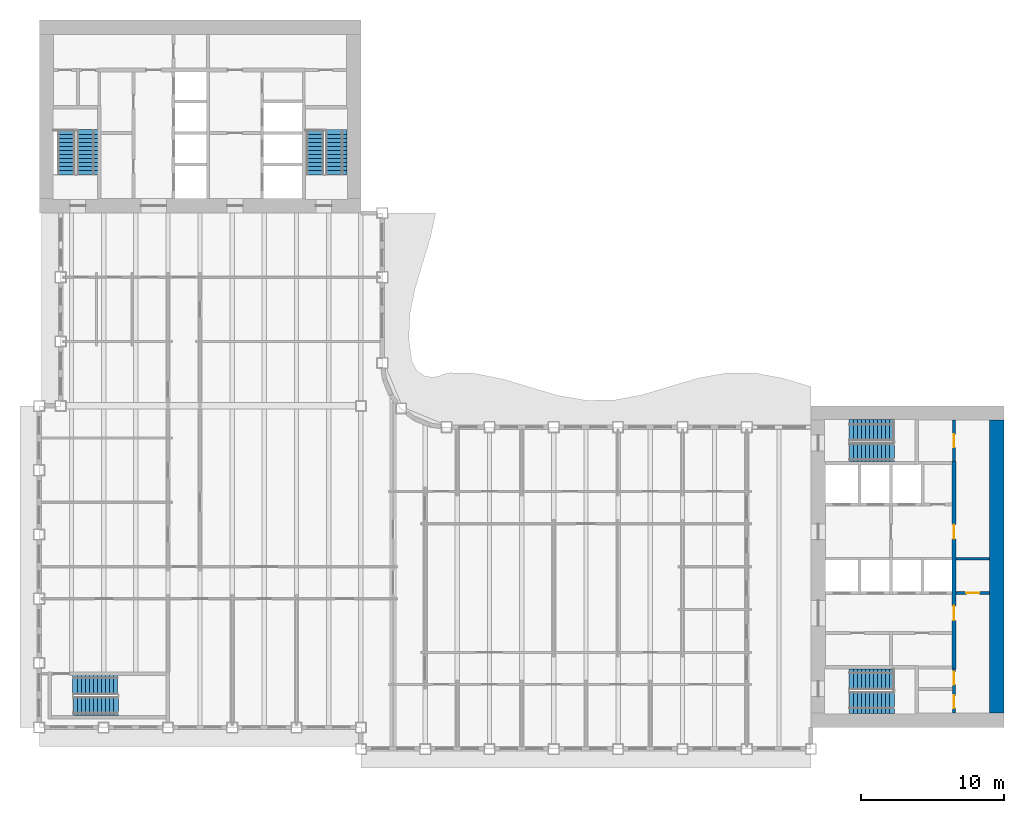
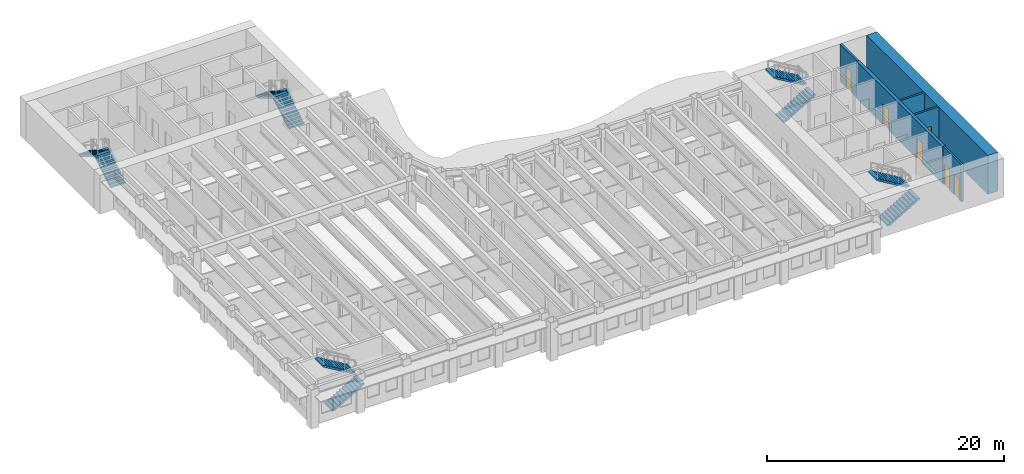
# One storey, part 11 of 17: 10 stair flights, 6 doors, 6 walls, 6 openings, 5 elements without a shape of their own.
"""IFC4 building model written with IfcOpenShell, lengths in metres."""

from ifc_helpers import new_model, si_unit, direction, frame, frame_2d, origin, place, context, subcontext, project, spatial, polyline, rectangle, outline, extrude, material, layer, layer_set, type_object, element, fill, aggregate, save


model = new_model("IFC4")

# Units and contexts
model_context = context("Model", 3, precision=1e-05, world=origin(), true_north=direction((0.0, 1.0)))
body_context = subcontext(model_context, "Body", "Model", "MODEL_VIEW")
ifc_project = project(units=[si_unit("LENGTHUNIT", "METRE"), si_unit("AREAUNIT", "SQUARE_METRE"), si_unit("VOLUMEUNIT", "CUBIC_METRE"), si_unit("PLANEANGLEUNIT", "RADIAN"), si_unit("MASSUNIT", "GRAM", prefix="KILO")], contexts=[model_context])

# Site, building, storey
site_placement = place(None, origin())
site = spatial("IfcSite", under=ifc_project, at=site_placement, CompositionType="ELEMENT")
building_placement = place(site_placement, origin())
building = spatial("IfcBuilding", under=site, at=building_placement, Name="Sennacour Bend Tower", CompositionType="ELEMENT")
storey_placement = place(building_placement, frame((0.0, 0.0, 199.0)))
storey = spatial("IfcBuildingStorey", under=building, at=storey_placement, Name="L45", CompositionType="ELEMENT", Elevation=199.0)

# Wall
ifc_material_1 = material(Name="Concrete C60/75", Category="concrete")
ifc_layer_1 = layer(ifc_material_1, 1.0, Name="Concrete C60/75", Category="concrete")
ifc_layer_set_1 = layer_set([ifc_layer_1], Name="Concrete C60/75")
wall_type_1 = type_object("IfcWallType", Name="Core wall 1000 C60/75", PredefinedType="SHEAR", material=ifc_layer_set_1)
wall_1_placement = place(storey_placement, frame((67.0, 1.0, -0.14990234375), z_axis=(0.0, 0.0, 1.0), x_axis=(0.0, 1.0, 0.0)))
element("IfcWall", 1, at=wall_1_placement, inside=storey, type_object=wall_type_1, Name="Core A wall L45 E", PredefinedType="SHEAR", context=body_context, shape_type="SweptSolid", body=[
    extrude(rectangle(XDim=20.5, YDim=1.0, at=frame_2d((10.25, 0.0))), origin(), (0.0, 0.0, 1.0), 4.0),
])

# Wall, openings, doors
ifc_material_2 = material(Name="Fire-rated plasterboard partition on steel studs", Category="steel")
ifc_layer_2 = layer(ifc_material_2, 0.199951171875, Name="Fire-rated plasterboard partition on steel studs", Category="steel")
ifc_layer_set_2 = layer_set([ifc_layer_2], Name="Fire-rated plasterboard partition on steel studs")
wall_type_2 = type_object("IfcWallType", Name="Rated partition 200", PredefinedType="PARTITIONING", material=ifc_layer_set_2)
wall_2_placement = place(storey_placement, frame((64.0, 1.0, 0.0), z_axis=(0.0, 0.0, 1.0), x_axis=(0.0, 1.0, 0.0)))
wall_2 = element("IfcWall", 2, at=wall_2_placement, inside=storey, type_object=wall_type_2, Name="P-L45-W052", PredefinedType="PARTITIONING", context=body_context, shape_type="SweptSolid", body=[
    extrude(rectangle(XDim=3.10009765625, YDim=0.199951171875, at=frame_2d((1.550048828125, 0.0))), origin(), (0.0, 0.0, 1.0), 3.85009765625),
])
opening_1_placement = place(wall_2_placement, frame((0.35009765625, 0.0, 0.0)))
opening_1 = element("IfcOpeningElement", 3, at=opening_1_placement, cuts=wall_2, Name="Opening SV", PredefinedType="OPENING", context=body_context, shape_type="SweptSolid", body=[
    extrude(rectangle(XDim=0.89990234375, YDim=2.10009765625, at=frame_2d((0.449951171875, 1.050048828125))), frame((0.0, 0.10986328125, 0.0), z_axis=(0.0, -1.0, 0.0), x_axis=(1.0, 0.0, 0.0)), (0.0, 0.0, 1.0), 0.219970703125),
])
opening_2_placement = place(wall_2_placement, frame((2.0, 0.0, 0.0)))
opening_2 = element("IfcOpeningElement", 4, at=opening_2_placement, cuts=wall_2, Name="Opening SV", PredefinedType="OPENING", context=body_context, shape_type="SweptSolid", body=[
    extrude(rectangle(XDim=0.89990234375, YDim=2.10009765625, at=frame_2d((0.449951171875, 1.050048828125))), frame((0.0, 0.10986328125, 0.0), z_axis=(0.0, -1.0, 0.0), x_axis=(1.0, 0.0, 0.0)), (0.0, 0.0, 1.0), 0.219970703125),
])
ifc_material_3 = material(Name="Painted steel", Category="steel")
door_type_1 = type_object("IfcDoorType", Name="DR-SERVICE-900", OperationType="NOTDEFINED", PredefinedType="DOOR", material=ifc_material_3)
door_1_placement = place(opening_1_placement, origin())
door_1 = element("IfcDoor", 5, at=door_1_placement, inside=storey, type_object=door_type_1, Name="Door", OperationType="SINGLE_SWING_LEFT", OverallHeight=2.10009765625, OverallWidth=0.89990234375, PredefinedType="DOOR", context=body_context, shape_type="SweptSolid", body=[
    extrude(rectangle(XDim=0.89990234375, YDim=2.10009765625, at=frame_2d((0.449951171875, 1.050048828125))), frame((0.0, 0.02490234375, 0.0), z_axis=(0.0, -1.0, 0.0), x_axis=(1.0, 0.0, 0.0)), (0.0, 0.0, 1.0), 0.050048828125),
])
fill(opening_1, door_1)
door_2_placement = place(opening_2_placement, origin())
door_2 = element("IfcDoor", 6, at=door_2_placement, inside=storey, type_object=door_type_1, Name="Door", OperationType="SINGLE_SWING_RIGHT", OverallHeight=2.10009765625, OverallWidth=0.89990234375, PredefinedType="DOOR", context=body_context, shape_type="SweptSolid", body=[
    extrude(rectangle(XDim=0.89990234375, YDim=2.10009765625, at=frame_2d((0.449951171875, 1.050048828125))), frame((0.0, 0.02490234375, 0.0), z_axis=(0.0, -1.0, 0.0), x_axis=(1.0, 0.0, 0.0)), (0.0, 0.0, 1.0), 0.050048828125),
])
fill(opening_2, door_2)

# Wall, opening, door
wall_3_placement = place(storey_placement, frame((64.0, 18.60009765625, 0.0), z_axis=(0.0, 0.0, 1.0), x_axis=(0.0, 1.0, 0.0)))
wall_3 = element("IfcWall", 7, at=wall_3_placement, inside=storey, type_object=wall_type_2, Name="P-L45-W054", PredefinedType="PARTITIONING", context=body_context, shape_type="SweptSolid", body=[
    extrude(rectangle(XDim=2.89990234375, YDim=0.199951171875, at=frame_2d((1.449951171875, 0.0))), origin(), (0.0, 0.0, 1.0), 3.85009765625),
])
opening_3_placement = place(wall_3_placement, frame((1.0, 0.0, 0.0)))
opening_3 = element("IfcOpeningElement", 8, at=opening_3_placement, cuts=wall_3, Name="Opening WD", PredefinedType="OPENING", context=body_context, shape_type="SweptSolid", body=[
    extrude(rectangle(XDim=0.89990234375, YDim=2.10009765625, at=frame_2d((0.449951171875, 1.050048828125))), frame((0.0, 0.10986328125, 0.0), z_axis=(0.0, -1.0, 0.0), x_axis=(1.0, 0.0, 0.0)), (0.0, 0.0, 1.0), 0.219970703125),
])
ifc_material_4 = material(Name="Timber", Category="wood")
door_type_2 = type_object("IfcDoorType", Name="DR-WC-900", OperationType="NOTDEFINED", PredefinedType="DOOR", material=ifc_material_4)
door_3_placement = place(opening_3_placement, origin())
door_3 = element("IfcDoor", 9, at=door_3_placement, inside=storey, type_object=door_type_2, Name="Door", OperationType="SINGLE_SWING_LEFT", OverallHeight=2.10009765625, OverallWidth=0.89990234375, PredefinedType="DOOR", context=body_context, shape_type="SweptSolid", body=[
    extrude(rectangle(XDim=0.89990234375, YDim=2.10009765625, at=frame_2d((0.449951171875, 1.050048828125))), frame((0.0, 0.02490234375, 0.0), z_axis=(0.0, -1.0, 0.0), x_axis=(1.0, 0.0, 0.0)), (0.0, 0.0, 1.0), 0.050048828125),
])
fill(opening_3, door_3)

wall_4_placement = place(storey_placement, frame((64.14990234375, 9.39990234375, 0.0), z_axis=(0.0, 0.0, 1.0), x_axis=(1.0, 0.0, 0.0)))
wall_4 = element("IfcWall", 10, at=wall_4_placement, inside=storey, type_object=wall_type_2, Name="P-L45-W068", PredefinedType="PARTITIONING", context=body_context, shape_type="SweptSolid", body=[
    extrude(rectangle(XDim=2.35009765625, YDim=0.199951171875, at=frame_2d((1.175048828125, 0.0))), origin(), (0.0, 0.0, 1.0), 3.85009765625),
])
opening_4_placement = place(wall_4_placement, frame((0.72509765625, 0.0, 0.0)))
opening_4 = element("IfcOpeningElement", 11, at=opening_4_placement, cuts=wall_4, Name="Opening SV", PredefinedType="OPENING", context=body_context, shape_type="SweptSolid", body=[
    extrude(rectangle(XDim=0.89990234375, YDim=2.10009765625, at=frame_2d((0.449951171875, 1.050048828125))), frame((0.0, 0.10986328125, 0.0), z_axis=(0.0, -1.0, 0.0), x_axis=(1.0, 0.0, 0.0)), (0.0, 0.0, 1.0), 0.219970703125),
])
door_4_placement = place(opening_4_placement, origin())
door_4 = element("IfcDoor", 12, at=door_4_placement, inside=storey, type_object=door_type_1, Name="Door", OperationType="SINGLE_SWING_LEFT", OverallHeight=2.10009765625, OverallWidth=0.89990234375, PredefinedType="DOOR", context=body_context, shape_type="SweptSolid", body=[
    extrude(rectangle(XDim=0.89990234375, YDim=2.10009765625, at=frame_2d((0.449951171875, 1.050048828125))), frame((0.0, 0.02490234375, 0.0), z_axis=(0.0, -1.0, 0.0), x_axis=(1.0, 0.0, 0.0)), (0.0, 0.0, 1.0), 0.050048828125),
])
fill(opening_4, door_4)

# Wall
wall_5_placement = place(storey_placement, frame((64.14990234375, 11.800048828125, 0.0), z_axis=(0.0, 0.0, 1.0), x_axis=(1.0, 0.0, 0.0)))
element("IfcWall", 13, at=wall_5_placement, inside=storey, type_object=wall_type_2, Name="P-L45-W072", PredefinedType="PARTITIONING", context=body_context, shape_type="SweptSolid", body=[
    extrude(rectangle(XDim=2.35009765625, YDim=0.199951171875, at=frame_2d((1.175048828125, 0.0))), origin(), (0.0, 0.0, 1.0), 3.85009765625),
])

# Wall, openings, doors
ifc_layer_3 = layer(ifc_material_1, 0.300048828125, Name="Concrete C60/75", Category="concrete")
ifc_layer_set_3 = layer_set([ifc_layer_3], Name="Concrete C60/75")
wall_type_3 = type_object("IfcWallType", Name="Spine wall 300", PredefinedType="SHEAR", material=ifc_layer_set_3)
wall_6_placement = place(storey_placement, frame((64.0, 4.10009765625, 0.0), z_axis=(0.0, 0.0, 1.0), x_axis=(0.0, 1.0, 0.0)))
wall_6 = element("IfcWall", 14, at=wall_6_placement, inside=storey, type_object=wall_type_3, Name="P-L45-W053", PredefinedType="SHEAR", context=body_context, shape_type="SweptSolid", body=[
    extrude(rectangle(XDim=14.5, YDim=0.300048828125, at=frame_2d((7.25, 0.0))), origin(), (0.0, 0.0, 1.0), 3.85009765625),
])
opening_5_placement = place(wall_6_placement, frame((3.39990234375, 0.0, 0.0)))
opening_5 = element("IfcOpeningElement", 15, at=opening_5_placement, cuts=wall_6, Name="Opening CD2", PredefinedType="OPENING", context=body_context, shape_type="SweptSolid", body=[
    extrude(rectangle(XDim=1.0, YDim=2.10009765625, at=frame_2d((0.5, 1.050048828125))), frame((0.0, 0.16015625, 0.0), z_axis=(0.0, -1.0, 0.0), x_axis=(1.0, 0.0, 0.0)), (0.0, 0.0, 1.0), 0.320068359375),
])
opening_6_placement = place(wall_6_placement, frame((9.099853515625, 0.0, 0.0)))
opening_6 = element("IfcOpeningElement", 16, at=opening_6_placement, cuts=wall_6, Name="Opening CD2", PredefinedType="OPENING", context=body_context, shape_type="SweptSolid", body=[
    extrude(rectangle(XDim=1.0, YDim=2.10009765625, at=frame_2d((0.5, 1.050048828125))), frame((0.0, 0.16015625, 0.0), z_axis=(0.0, -1.0, 0.0), x_axis=(1.0, 0.0, 0.0)), (0.0, 0.0, 1.0), 0.320068359375),
])
door_type_3 = type_object("IfcDoorType", Name="DR-LOBBY-1000", OperationType="NOTDEFINED", PredefinedType="DOOR", material=ifc_material_3)
door_5_placement = place(opening_5_placement, origin())
door_5 = element("IfcDoor", 17, at=door_5_placement, inside=storey, type_object=door_type_3, Name="Door", OperationType="SINGLE_SWING_LEFT", OverallHeight=2.10009765625, OverallWidth=1.0, PredefinedType="DOOR", context=body_context, shape_type="SweptSolid", body=[
    extrude(rectangle(XDim=1.0, YDim=2.10009765625, at=frame_2d((0.5, 1.050048828125))), frame((0.0, 0.02490234375, 0.0), z_axis=(0.0, -1.0, 0.0), x_axis=(1.0, 0.0, 0.0)), (0.0, 0.0, 1.0), 0.050048828125),
])
fill(opening_5, door_5)
door_6_placement = place(opening_6_placement, origin())
door_6 = element("IfcDoor", 18, at=door_6_placement, inside=storey, type_object=door_type_3, Name="Door", OperationType="SINGLE_SWING_RIGHT", OverallHeight=2.10009765625, OverallWidth=1.0, PredefinedType="DOOR", context=body_context, shape_type="SweptSolid", body=[
    extrude(rectangle(XDim=1.0, YDim=2.10009765625, at=frame_2d((0.5, 1.050048828125))), frame((0.0, 0.02490234375, 0.0), z_axis=(0.0, -1.0, 0.0), x_axis=(1.0, 0.0, 0.0)), (0.0, 0.0, 1.0), 0.050048828125),
])
fill(opening_6, door_6)

# Stair, stair flights
ifc_material_5 = material(Name="Concrete C40/50", Category="concrete")
stair_type = type_object("IfcStairType", Name="ST-DOGLEG", PredefinedType="HALF_TURN_STAIR", material=ifc_material_5)
stair_1_placement = place(storey_placement, origin())
stair_1 = element("IfcStair", 19, at=stair_1_placement, inside=storey, type_object=stair_type, Name="L45 Exit stair A1", PredefinedType="HALF_TURN_STAIR")
stair_flight_type = type_object("IfcStairFlightType", Name="SFL-RC", PredefinedType="STRAIGHT", material=ifc_material_5)
stair_flight_1_placement = place(storey_placement, frame((56.699951171875, 1.735107421875, 0.0), z_axis=(0.0, 0.0, 1.0), x_axis=(1.0, 0.0, 0.0)))
stair_flight_1 = element("IfcStairFlight", 20, at=stair_flight_1_placement, type_object=stair_flight_type, Name="SA1 flight 1", NumberOfRisers=12, NumberOfTreads=11, PredefinedType="STRAIGHT", RiserHeight=0.166666667, TreadLength=0.28, context=body_context, shape_type="SweptSolid", body=[
    extrude(outline(polyline([(0.0, 0.0), (0.0, 0.166748046875), (0.280029296875, 0.166748046875), (0.280029296875, 0.333251953125), (0.56005859375, 0.333251953125), (0.56005859375, 0.5), (0.840087890625, 0.5), (0.840087890625, 0.666748046875), (1.1201171875, 0.666748046875), (1.1201171875, 0.833251953125), (1.39990234375, 0.833251953125), (1.39990234375, 1.0), (1.679931640625, 1.0), (1.679931640625, 1.166748046875), (1.9599609375, 1.166748046875), (1.9599609375, 1.333251953125), (2.239990234375, 1.333251953125), (2.239990234375, 1.5), (2.52001953125, 1.5), (2.52001953125, 1.666748046875), (2.800048828125, 1.666748046875), (2.800048828125, 1.833251953125), (3.080078125, 1.833251953125), (3.139892578125, 1.833251953125), (3.139892578125, 1.658935546875), (3.080078125, 1.658935546875), (0.29296875, 0.0), (0.0, 0.0)])), frame((0.0, 0.76513671875, 0.0), z_axis=(0.0, -1.0, 0.0), x_axis=(1.0, 0.0, 0.0)), (0.0, 0.0, 1.0), 1.530029296875),
])
stair_flight_2_placement = place(storey_placement, frame((59.780029296875, 3.37744140625, 2.0), z_axis=(0.0, 0.0, 1.0), x_axis=(-1.0, 0.0, 0.0)))
stair_flight_2 = element("IfcStairFlight", 21, at=stair_flight_2_placement, type_object=stair_flight_type, Name="SA1 flight 2", NumberOfRisers=12, NumberOfTreads=11, PredefinedType="STRAIGHT", RiserHeight=0.166666667, TreadLength=0.28, context=body_context, shape_type="SweptSolid", body=[
    extrude(outline(polyline([(0.0, 0.0), (0.0, 0.166748046875), (0.280029296875, 0.166748046875), (0.280029296875, 0.333251953125), (0.56005859375, 0.333251953125), (0.56005859375, 0.5), (0.840087890625, 0.5), (0.840087890625, 0.666748046875), (1.1201171875, 0.666748046875), (1.1201171875, 0.833251953125), (1.39990234375, 0.833251953125), (1.39990234375, 1.0), (1.679931640625, 1.0), (1.679931640625, 1.166748046875), (1.9599609375, 1.166748046875), (1.9599609375, 1.333251953125), (2.239990234375, 1.333251953125), (2.239990234375, 1.5), (2.52001953125, 1.5), (2.52001953125, 1.666748046875), (2.800048828125, 1.666748046875), (2.800048828125, 1.833251953125), (3.080078125, 1.833251953125), (3.139892578125, 1.833251953125), (3.139892578125, 1.658935546875), (3.080078125, 1.658935546875), (0.29296875, 0.0), (0.0, 0.0)])), frame((0.0, 0.7275390625, 0.0), z_axis=(0.0, -1.0, 0.0), x_axis=(1.0, 0.0, 0.0)), (0.0, 0.0, 1.0), 1.455078125),
])
aggregate(stair_1, [stair_flight_1, stair_flight_2])

stair_2_placement = place(storey_placement, origin())
stair_2 = element("IfcStair", 22, at=stair_2_placement, inside=storey, type_object=stair_type, Name="L45 Exit stair A2", PredefinedType="HALF_TURN_STAIR")
stair_flight_3_placement = place(storey_placement, frame((56.699951171875, 19.24755859375, 0.0), z_axis=(0.0, 0.0, 1.0), x_axis=(1.0, 0.0, 0.0)))
stair_flight_3 = element("IfcStairFlight", 23, at=stair_flight_3_placement, type_object=stair_flight_type, Name="SA2 flight 1", NumberOfRisers=12, NumberOfTreads=11, PredefinedType="STRAIGHT", RiserHeight=0.166666667, TreadLength=0.28, context=body_context, shape_type="SweptSolid", body=[
    extrude(outline(polyline([(0.0, 0.0), (0.0, 0.166748046875), (0.280029296875, 0.166748046875), (0.280029296875, 0.333251953125), (0.56005859375, 0.333251953125), (0.56005859375, 0.5), (0.840087890625, 0.5), (0.840087890625, 0.666748046875), (1.1201171875, 0.666748046875), (1.1201171875, 0.833251953125), (1.39990234375, 0.833251953125), (1.39990234375, 1.0), (1.679931640625, 1.0), (1.679931640625, 1.166748046875), (1.9599609375, 1.166748046875), (1.9599609375, 1.333251953125), (2.239990234375, 1.333251953125), (2.239990234375, 1.5), (2.52001953125, 1.5), (2.52001953125, 1.666748046875), (2.800048828125, 1.666748046875), (2.800048828125, 1.833251953125), (3.080078125, 1.833251953125), (3.139892578125, 1.833251953125), (3.139892578125, 1.658935546875), (3.080078125, 1.658935546875), (0.29296875, 0.0), (0.0, 0.0)])), frame((0.0, 0.65234375, 0.0), z_axis=(0.0, -1.0, 0.0), x_axis=(1.0, 0.0, 0.0)), (0.0, 0.0, 1.0), 1.304931640625),
])
stair_flight_4_placement = place(storey_placement, frame((59.780029296875, 20.7900390625, 2.0), z_axis=(0.0, 0.0, 1.0), x_axis=(-1.0, 0.0, 0.0)))
stair_flight_4 = element("IfcStairFlight", 24, at=stair_flight_4_placement, type_object=stair_flight_type, Name="SA2 flight 2", NumberOfRisers=12, NumberOfTreads=11, PredefinedType="STRAIGHT", RiserHeight=0.166666667, TreadLength=0.28, context=body_context, shape_type="SweptSolid", body=[
    extrude(outline(polyline([(0.0, 0.0), (0.0, 0.166748046875), (0.280029296875, 0.166748046875), (0.280029296875, 0.333251953125), (0.56005859375, 0.333251953125), (0.56005859375, 0.5), (0.840087890625, 0.5), (0.840087890625, 0.666748046875), (1.1201171875, 0.666748046875), (1.1201171875, 0.833251953125), (1.39990234375, 0.833251953125), (1.39990234375, 1.0), (1.679931640625, 1.0), (1.679931640625, 1.166748046875), (1.9599609375, 1.166748046875), (1.9599609375, 1.333251953125), (2.239990234375, 1.333251953125), (2.239990234375, 1.5), (2.52001953125, 1.5), (2.52001953125, 1.666748046875), (2.800048828125, 1.666748046875), (2.800048828125, 1.833251953125), (3.080078125, 1.833251953125), (3.139892578125, 1.833251953125), (3.139892578125, 1.658935546875), (3.080078125, 1.658935546875), (0.29296875, 0.0), (0.0, 0.0)])), frame((0.0, 0.739990234375, 0.0), z_axis=(0.0, -1.0, 0.0), x_axis=(1.0, 0.0, 0.0)), (0.0, 0.0, 1.0), 1.47998046875),
])
aggregate(stair_2, [stair_flight_3, stair_flight_4])

stair_3_placement = place(storey_placement, origin())
stair_3 = element("IfcStair", 25, at=stair_3_placement, inside=storey, type_object=stair_type, Name="L45 Exit stair B1", PredefinedType="HALF_TURN_STAIR")
stair_flight_5_placement = place(storey_placement, frame((3.37744140625, 38.699951171875, 0.0), z_axis=(0.0, 0.0, 1.0), x_axis=(0.0, 1.0, 0.0)))
stair_flight_5 = element("IfcStairFlight", 26, at=stair_flight_5_placement, type_object=stair_flight_type, Name="SB1 flight 1", NumberOfRisers=12, NumberOfTreads=11, PredefinedType="STRAIGHT", RiserHeight=0.166666667, TreadLength=0.28, context=body_context, shape_type="SweptSolid", body=[
    extrude(outline(polyline([(0.0, 0.0), (0.0, 0.166748046875), (0.280029296875, 0.166748046875), (0.280029296875, 0.333251953125), (0.56005859375, 0.333251953125), (0.56005859375, 0.5), (0.840087890625, 0.5), (0.840087890625, 0.666748046875), (1.1201171875, 0.666748046875), (1.1201171875, 0.833251953125), (1.39990234375, 0.833251953125), (1.39990234375, 1.0), (1.679931640625, 1.0), (1.679931640625, 1.166748046875), (1.9599609375, 1.166748046875), (1.9599609375, 1.333251953125), (2.239990234375, 1.333251953125), (2.239990234375, 1.5), (2.52001953125, 1.5), (2.52001953125, 1.666748046875), (2.800048828125, 1.666748046875), (2.800048828125, 1.833251953125), (3.080078125, 1.833251953125), (3.139892578125, 1.833251953125), (3.139892578125, 1.658935546875), (3.080078125, 1.658935546875), (0.29296875, 0.0), (0.0, 0.0)])), frame((0.0, 0.7275390625, 0.0), z_axis=(0.0, -1.0, 0.0), x_axis=(1.0, 0.0, 0.0)), (0.0, 0.0, 1.0), 1.455078125),
])
stair_flight_6_placement = place(storey_placement, frame((1.89990234375, 41.780029296875, 2.0), z_axis=(0.0, 0.0, 1.0), x_axis=(0.0, -1.0, 0.0)))
stair_flight_6 = element("IfcStairFlight", 27, at=stair_flight_6_placement, type_object=stair_flight_type, Name="SB1 flight 2", NumberOfRisers=12, NumberOfTreads=11, PredefinedType="STRAIGHT", RiserHeight=0.166666667, TreadLength=0.28, context=body_context, shape_type="SweptSolid", body=[
    extrude(outline(polyline([(0.0, 0.0), (0.0, 0.166748046875), (0.280029296875, 0.166748046875), (0.280029296875, 0.333251953125), (0.56005859375, 0.333251953125), (0.56005859375, 0.5), (0.840087890625, 0.5), (0.840087890625, 0.666748046875), (1.1201171875, 0.666748046875), (1.1201171875, 0.833251953125), (1.39990234375, 0.833251953125), (1.39990234375, 1.0), (1.679931640625, 1.0), (1.679931640625, 1.166748046875), (1.9599609375, 1.166748046875), (1.9599609375, 1.333251953125), (2.239990234375, 1.333251953125), (2.239990234375, 1.5), (2.52001953125, 1.5), (2.52001953125, 1.666748046875), (2.800048828125, 1.666748046875), (2.800048828125, 1.833251953125), (3.080078125, 1.833251953125), (3.139892578125, 1.833251953125), (3.139892578125, 1.658935546875), (3.080078125, 1.658935546875), (0.29296875, 0.0), (0.0, 0.0)])), frame((0.0, 0.60009765625, 0.0), z_axis=(0.0, -1.0, 0.0), x_axis=(1.0, 0.0, 0.0)), (0.0, 0.0, 1.0), 1.199951171875),
])
aggregate(stair_3, [stair_flight_5, stair_flight_6])

stair_4_placement = place(storey_placement, origin())
stair_4 = element("IfcStair", 28, at=stair_4_placement, inside=storey, type_object=stair_type, Name="L45 Exit stair B2", PredefinedType="HALF_TURN_STAIR")
stair_flight_7_placement = place(storey_placement, frame((20.7900390625, 38.699951171875, 0.0), z_axis=(0.0, 0.0, 1.0), x_axis=(0.0, 1.0, 0.0)))
stair_flight_7 = element("IfcStairFlight", 29, at=stair_flight_7_placement, type_object=stair_flight_type, Name="SB2 flight 1", NumberOfRisers=12, NumberOfTreads=11, PredefinedType="STRAIGHT", RiserHeight=0.166666667, TreadLength=0.28, context=body_context, shape_type="SweptSolid", body=[
    extrude(outline(polyline([(0.0, 0.0), (0.0, 0.166748046875), (0.280029296875, 0.166748046875), (0.280029296875, 0.333251953125), (0.56005859375, 0.333251953125), (0.56005859375, 0.5), (0.840087890625, 0.5), (0.840087890625, 0.666748046875), (1.1201171875, 0.666748046875), (1.1201171875, 0.833251953125), (1.39990234375, 0.833251953125), (1.39990234375, 1.0), (1.679931640625, 1.0), (1.679931640625, 1.166748046875), (1.9599609375, 1.166748046875), (1.9599609375, 1.333251953125), (2.239990234375, 1.333251953125), (2.239990234375, 1.5), (2.52001953125, 1.5), (2.52001953125, 1.666748046875), (2.800048828125, 1.666748046875), (2.800048828125, 1.833251953125), (3.080078125, 1.833251953125), (3.139892578125, 1.833251953125), (3.139892578125, 1.658935546875), (3.080078125, 1.658935546875), (0.29296875, 0.0), (0.0, 0.0)])), frame((0.0, 0.739990234375, 0.0), z_axis=(0.0, -1.0, 0.0), x_axis=(1.0, 0.0, 0.0)), (0.0, 0.0, 1.0), 1.47998046875),
])
stair_flight_8_placement = place(storey_placement, frame((19.24755859375, 41.780029296875, 2.0), z_axis=(0.0, 0.0, 1.0), x_axis=(0.0, -1.0, 0.0)))
stair_flight_8 = element("IfcStairFlight", 30, at=stair_flight_8_placement, type_object=stair_flight_type, Name="SB2 flight 2", NumberOfRisers=12, NumberOfTreads=11, PredefinedType="STRAIGHT", RiserHeight=0.166666667, TreadLength=0.28, context=body_context, shape_type="SweptSolid", body=[
    extrude(outline(polyline([(0.0, 0.0), (0.0, 0.166748046875), (0.280029296875, 0.166748046875), (0.280029296875, 0.333251953125), (0.56005859375, 0.333251953125), (0.56005859375, 0.5), (0.840087890625, 0.5), (0.840087890625, 0.666748046875), (1.1201171875, 0.666748046875), (1.1201171875, 0.833251953125), (1.39990234375, 0.833251953125), (1.39990234375, 1.0), (1.679931640625, 1.0), (1.679931640625, 1.166748046875), (1.9599609375, 1.166748046875), (1.9599609375, 1.333251953125), (2.239990234375, 1.333251953125), (2.239990234375, 1.5), (2.52001953125, 1.5), (2.52001953125, 1.666748046875), (2.800048828125, 1.666748046875), (2.800048828125, 1.833251953125), (3.080078125, 1.833251953125), (3.139892578125, 1.833251953125), (3.139892578125, 1.658935546875), (3.080078125, 1.658935546875), (0.29296875, 0.0), (0.0, 0.0)])), frame((0.0, 0.65234375, 0.0), z_axis=(0.0, -1.0, 0.0), x_axis=(1.0, 0.0, 0.0)), (0.0, 0.0, 1.0), 1.304931640625),
])
aggregate(stair_4, [stair_flight_7, stair_flight_8])

stair_5_placement = place(storey_placement, origin())
stair_5 = element("IfcStair", 31, at=stair_5_placement, inside=storey, type_object=stair_type, Name="L45 Exit stair K1", PredefinedType="HALF_TURN_STAIR")
stair_flight_9_placement = place(storey_placement, frame((2.39990234375, 1.485107421875, 0.0), z_axis=(0.0, 0.0, 1.0), x_axis=(1.0, 0.0, 0.0)))
stair_flight_9 = element("IfcStairFlight", 32, at=stair_flight_9_placement, type_object=stair_flight_type, Name="SK1 flight 1", NumberOfRisers=12, NumberOfTreads=11, PredefinedType="STRAIGHT", RiserHeight=0.166666667, TreadLength=0.28, context=body_context, shape_type="SweptSolid", body=[
    extrude(outline(polyline([(0.0, 0.0), (0.0, 0.166748046875), (0.280029296875, 0.166748046875), (0.280029296875, 0.333251953125), (0.56005859375, 0.333251953125), (0.56005859375, 0.5), (0.840087890625, 0.5), (0.840087890625, 0.666748046875), (1.1201171875, 0.666748046875), (1.1201171875, 0.833251953125), (1.39990234375, 0.833251953125), (1.39990234375, 1.0), (1.679931640625, 1.0), (1.679931640625, 1.166748046875), (1.9599609375, 1.166748046875), (1.9599609375, 1.333251953125), (2.239990234375, 1.333251953125), (2.239990234375, 1.5), (2.52001953125, 1.5), (2.52001953125, 1.666748046875), (2.800048828125, 1.666748046875), (2.800048828125, 1.833251953125), (3.080078125, 1.833251953125), (3.139892578125, 1.833251953125), (3.139892578125, 1.658935546875), (3.080078125, 1.658935546875), (0.29296875, 0.0), (0.0, 0.0)])), frame((0.0, 0.6650390625, 0.0), z_axis=(0.0, -1.0, 0.0), x_axis=(1.0, 0.0, 0.0)), (0.0, 0.0, 1.0), 1.330078125),
])
stair_flight_10_placement = place(storey_placement, frame((5.47998046875, 2.9775390625, 2.0), z_axis=(0.0, 0.0, 1.0), x_axis=(-1.0, 0.0, 0.0)))
stair_flight_10 = element("IfcStairFlight", 33, at=stair_flight_10_placement, type_object=stair_flight_type, Name="SK1 flight 2", NumberOfRisers=12, NumberOfTreads=11, PredefinedType="STRAIGHT", RiserHeight=0.166666667, TreadLength=0.28, context=body_context, shape_type="SweptSolid", body=[
    extrude(outline(polyline([(0.0, 0.0), (0.0, 0.166748046875), (0.280029296875, 0.166748046875), (0.280029296875, 0.333251953125), (0.56005859375, 0.333251953125), (0.56005859375, 0.5), (0.840087890625, 0.5), (0.840087890625, 0.666748046875), (1.1201171875, 0.666748046875), (1.1201171875, 0.833251953125), (1.39990234375, 0.833251953125), (1.39990234375, 1.0), (1.679931640625, 1.0), (1.679931640625, 1.166748046875), (1.9599609375, 1.166748046875), (1.9599609375, 1.333251953125), (2.239990234375, 1.333251953125), (2.239990234375, 1.5), (2.52001953125, 1.5), (2.52001953125, 1.666748046875), (2.800048828125, 1.666748046875), (2.800048828125, 1.833251953125), (3.080078125, 1.833251953125), (3.139892578125, 1.833251953125), (3.139892578125, 1.658935546875), (3.080078125, 1.658935546875), (0.29296875, 0.0), (0.0, 0.0)])), frame((0.0, 0.677490234375, 0.0), z_axis=(0.0, -1.0, 0.0), x_axis=(1.0, 0.0, 0.0)), (0.0, 0.0, 1.0), 1.35498046875),
])
aggregate(stair_5, [stair_flight_9, stair_flight_10])

save(model, "model.ifc")
